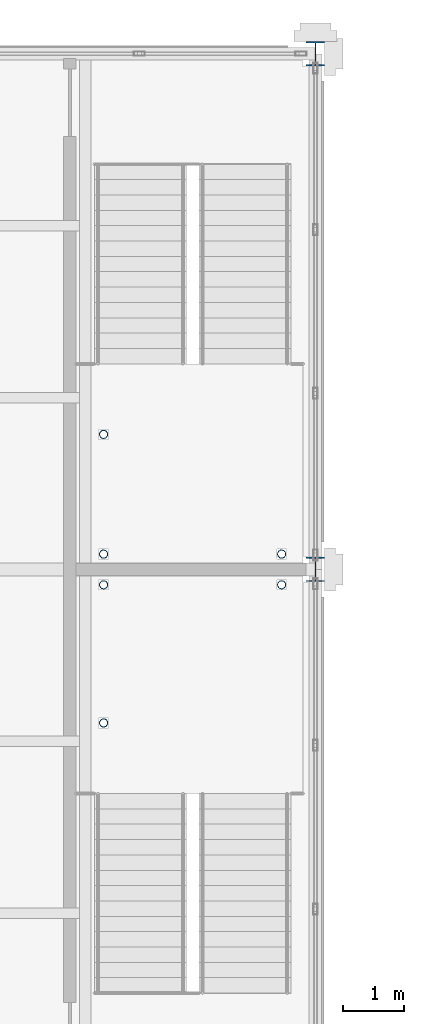
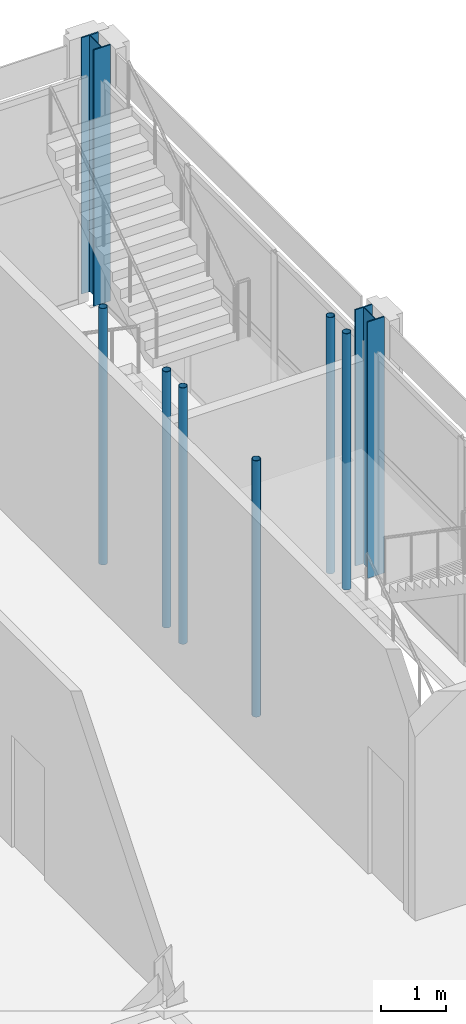
# One storey, part 15 of 167: 8 columns.
"""IFC4 building model written with IfcOpenShell, lengths in metres."""

from ifc_helpers import new_model, si_unit, direction, frame, origin, origin_2d, place, context, subcontext, project, spatial, hollow_circle, i_section, extrude, material, material_profile, profile_set, type_object, element, save


model = new_model("IFC4")

# Units and contexts
model_context = context("Model", 3, precision=1e-05, world=origin(), true_north=direction((0.0, 1.0)))
body_context = subcontext(model_context, "Body", "Model", "MODEL_VIEW")
ifc_project = project(units=[si_unit("LENGTHUNIT", "METRE"), si_unit("AREAUNIT", "SQUARE_METRE"), si_unit("VOLUMEUNIT", "CUBIC_METRE"), si_unit("PLANEANGLEUNIT", "RADIAN"), si_unit("MASSUNIT", "GRAM", prefix="KILO")], contexts=[model_context])

# Site, building, storey
site_placement = place(None, origin())
site = spatial("IfcSite", under=ifc_project, at=site_placement, CompositionType="ELEMENT")
building_placement = place(site_placement, origin())
building = spatial("IfcBuilding", under=site, at=building_placement, Name="Catenary Quay Ferry Terminal", CompositionType="ELEMENT")
storey_placement = place(building_placement, frame((0.0, 0.0, 6.0)))
storey = spatial("IfcBuildingStorey", under=building, at=storey_placement, Name="L01", CompositionType="ELEMENT", Elevation=6.0)

# Columns
ifc_material_1 = material(Name="Steel S355", Category="steel")
ifc_material_profile_1 = material_profile(ifc_material_1, i_section(OverallWidth=0.300048828125, OverallDepth=0.39990234375, WebThickness=0.013427734375, FlangeThickness=0.02392578125, at=origin_2d()), Name="HEB 400")
ifc_profile_set_1 = profile_set([ifc_material_profile_1], Name="Steel S355")
column_type_1 = type_object("IfcColumnType", Name="C2 HEB 400", PredefinedType="COLUMN", material=ifc_profile_set_1)
for number, where, z_axis, x_axis, name in (
    (1, (67.199951171875, 201.60009765625, 0.0), (0.0, 0.0, 1.0), (1.0, 0.0, 0.0), "Column C-I25 L01"),
    (2, (67.199951171875, 210.0, 0.0), (0.0, 0.0, 1.0), (1.0, 0.0, 0.0), "Column C-I26 L01"),
):
    element("IfcColumn", number, at=place(storey_placement, frame(where, z_axis=z_axis, x_axis=x_axis)), inside=storey, type_object=column_type_1, Name=name, PredefinedType="COLUMN", context=body_context, shape_type="SweptSolid", body=[
        extrude(i_section(OverallWidth=0.300048828125, OverallDepth=0.39990234375, WebThickness=0.013427734375, FlangeThickness=0.02392578125, at=origin_2d()), origin(), (0.0, 0.0, 1.0), 4.800048828125),
    ])
ifc_material_2 = material(Name="Steel S355", Category="steel")
ifc_material_profile_2 = material_profile(ifc_material_2, hollow_circle(Radius=0.06982421875, WallThickness=0.008056640625, at=origin_2d()), Name="CHS 139.7x8")
ifc_profile_set_2 = profile_set([ifc_material_profile_2], Name="Steel S355")
column_type_2 = type_object("IfcColumnType", Name="SP1 CHS 139.7x8", PredefinedType="COLUMN", material=ifc_profile_set_2)
for number, where, z_axis, x_axis, name in (
    (3, (63.75, 201.35009765625, 0.0), (0.0, 0.0, 1.0), (1.0, 0.0, 0.0), "Landing post HS4-L00 1"),
    (4, (66.64990234375, 201.35009765625, 0.0), (0.0, 0.0, 1.0), (1.0, 0.0, 0.0), "Landing post HS4-L00 2"),
    (5, (63.75, 199.10009765625, 0.0), (0.0, 0.0, 1.0), (1.0, 0.0, 0.0), "Landing post HS4-L00 3"),
    (6, (63.75, 201.85009765625, 0.0), (0.0, 0.0, 1.0), (1.0, 0.0, 0.0), "Landing post HS5-L00 1"),
    (7, (66.64990234375, 201.85009765625, 0.0), (0.0, 0.0, 1.0), (1.0, 0.0, 0.0), "Landing post HS5-L00 2"),
    (8, (63.75, 203.800048828125, 0.0), (0.0, 0.0, 1.0), (1.0, 0.0, 0.0), "Landing post HS5-L00 3"),
):
    element("IfcColumn", number, at=place(storey_placement, frame(where, z_axis=z_axis, x_axis=x_axis)), inside=storey, type_object=column_type_2, Name=name, PredefinedType="COLUMN", context=body_context, shape_type="SweptSolid", body=[
        extrude(hollow_circle(Radius=0.06982421875, WallThickness=0.008056640625, at=origin_2d()), origin(), (0.0, 0.0, 1.0), 4.800048828125),
    ])

save(model, "model.ifc")
